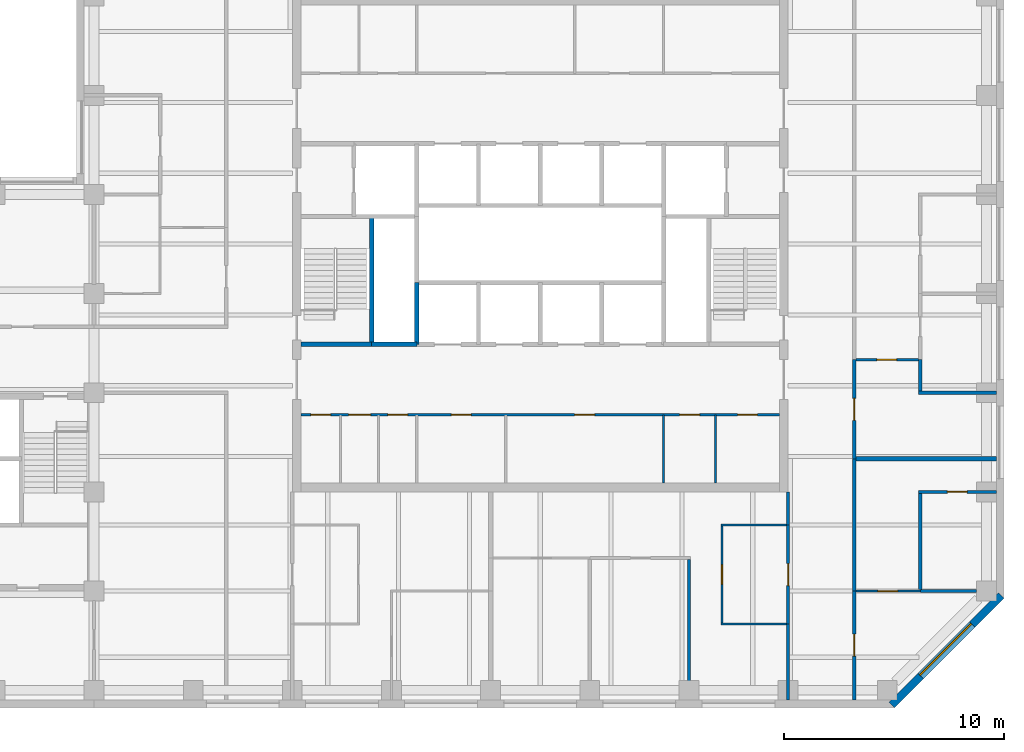
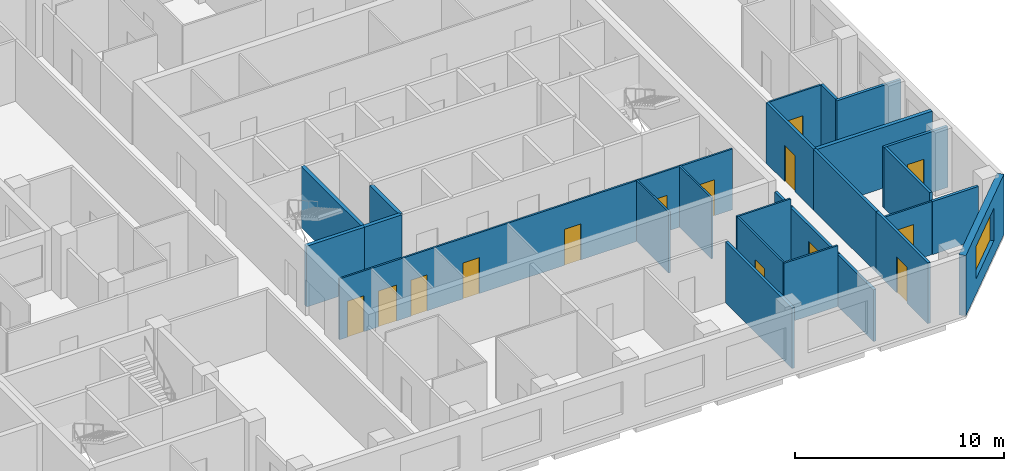
# One storey, part 5 of 10: 26 walls, 14 doors, 1 window, 15 openings.
"""IFC4 building model written with IfcOpenShell, lengths in metres."""

from ifc_helpers import new_model, si_unit, direction, frame, frame_2d, origin, place, context, subcontext, project, spatial, rectangle, extrude, material, layer, layer_set, constituent, constituent_set, type_object, element, fill, save


model = new_model("IFC4")

# Units and contexts
model_context = context("Model", 3, precision=1e-05, world=origin(), true_north=direction((0.0, 1.0)))
body_context = subcontext(model_context, "Body", "Model", "MODEL_VIEW")
ifc_project = project(units=[si_unit("LENGTHUNIT", "METRE"), si_unit("AREAUNIT", "SQUARE_METRE"), si_unit("VOLUMEUNIT", "CUBIC_METRE"), si_unit("PLANEANGLEUNIT", "RADIAN"), si_unit("MASSUNIT", "GRAM", prefix="KILO")], contexts=[model_context])

# Site, building, storey
site_placement = place(None, origin())
site = spatial("IfcSite", under=ifc_project, at=site_placement, CompositionType="ELEMENT")
building_placement = place(site_placement, origin())
building = spatial("IfcBuilding", under=site, at=building_placement, Name="Quoin Convention Tower", CompositionType="ELEMENT")
storey_placement = place(building_placement, frame((0.0, 0.0, 195.800048828125)))
storey = spatial("IfcBuildingStorey", under=building, at=storey_placement, Name="L51", CompositionType="ELEMENT", Elevation=195.800048828125)

# Wall, opening, door
ifc_material_1 = material(Name="Plasterboard")
ifc_layer_1 = layer(ifc_material_1, 0.012451171875, Name="Finish")
ifc_material_2 = material(Name="Steel stud framing", Category="steel")
ifc_layer_2 = layer(ifc_material_2, 0.125, Name="Structure")
ifc_layer_3 = layer(ifc_material_1, 0.012451171875, Name="Finish")
ifc_layer_set_1 = layer_set([ifc_layer_1, ifc_layer_2, ifc_layer_3], Name="Steel stud framing")
wall_type_1 = type_object("IfcWallType", Name="Acoustic partition 150", PredefinedType="PARTITIONING", material=ifc_layer_set_1)
wall_1_placement = place(storey_placement, frame((73.425048828125, 49.5, 0.0), z_axis=(0.0, 0.0, 1.0), x_axis=(1.0, 0.0, 0.0)))
wall_1 = element("IfcWall", 1, at=wall_1_placement, inside=storey, type_object=wall_type_1, Name="pw-L51-014", PredefinedType="PARTITIONING", context=body_context, shape_type="SweptSolid", body=[
    extrude(rectangle(XDim=3.52490234375, YDim=0.14990234375, at=frame_2d((1.762451171875, 0.0))), origin(), (0.0, 0.0, 1.0), 3.550048828125),
])
opening_1_placement = place(wall_1_placement, frame((1.300048828125, 0.0, 0.0)))
opening_1 = element("IfcOpeningElement", 2, at=opening_1_placement, cuts=wall_1, Name="Opening DOH7-04", PredefinedType="OPENING", context=body_context, shape_type="SweptSolid", body=[
    extrude(rectangle(XDim=0.89990234375, YDim=2.10009765625, at=frame_2d((0.449951171875, 1.050048828125))), frame((0.0, 0.0849609375, 0.0), z_axis=(0.0, -1.0, 0.0), x_axis=(1.0, 0.0, 0.0)), (0.0, 0.0, 1.0), 0.169921875),
])
ifc_material_3 = material(Name="Steel door leaf", Category="steel")
door_type_1 = type_object("IfcDoorType", Name="Office door 900 x 2100", OperationType="SINGLE_SWING_RIGHT", PredefinedType="DOOR", material=ifc_material_3)
door_1_placement = place(opening_1_placement, origin())
door_1 = element("IfcDoor", 3, at=door_1_placement, inside=storey, type_object=door_type_1, Name="dr-L51-28", OperationType="SINGLE_SWING_RIGHT", OverallHeight=2.10009765625, OverallWidth=0.89990234375, PredefinedType="DOOR", context=body_context, shape_type="SweptSolid", body=[
    extrude(rectangle(XDim=0.89990234375, YDim=2.10009765625, at=frame_2d((0.449951171875, 1.050048828125))), frame((0.0, 0.02490234375, 0.0), z_axis=(0.0, -1.0, 0.0), x_axis=(1.0, 0.0, 0.0)), (0.0, 0.0, 1.0), 0.050048828125),
])
fill(opening_1, door_1)

# Walls
wall_2_placement = place(storey_placement, frame((73.425048828125, 54.0, 0.0), z_axis=(0.0, 0.0, 1.0), x_axis=(1.0, 0.0, 0.0)))
element("IfcWall", 4, at=wall_2_placement, inside=storey, type_object=wall_type_1, Name="pw-L51-018", PredefinedType="PARTITIONING", context=body_context, shape_type="SweptSolid", body=[
    extrude(rectangle(XDim=3.52490234375, YDim=0.14990234375, at=frame_2d((1.762451171875, 0.0))), origin(), (0.0, 0.0, 1.0), 3.550048828125),
])
wall_3_placement = place(storey_placement, frame((63.0, 40.050048828125, 0.0), z_axis=(0.0, 0.0, 1.0), x_axis=(0.0, 1.0, 0.0)))
element("IfcWall", 5, at=wall_3_placement, inside=storey, type_object=wall_type_1, Name="pw-L51-044", PredefinedType="PARTITIONING", context=body_context, shape_type="SweptSolid", body=[
    extrude(rectangle(XDim=6.375, YDim=0.14990234375, at=frame_2d((3.1875, 0.0))), origin(), (0.0, 0.0, 1.0), 3.550048828125),
])
wall_4_placement = place(storey_placement, frame((73.5, 45.074951171875, 0.0), z_axis=(0.0, 0.0, 1.0), x_axis=(0.0, 1.0, 0.0)))
element("IfcWall", 6, at=wall_4_placement, inside=storey, type_object=wall_type_1, Name="pw-L51-056", PredefinedType="PARTITIONING", context=body_context, shape_type="SweptSolid", body=[
    extrude(rectangle(XDim=4.35009765625, YDim=0.14990234375, at=frame_2d((2.175048828125, 0.0))), origin(), (0.0, 0.0, 1.0), 3.550048828125),
])
wall_5_placement = place(storey_placement, frame((73.5, 54.074951171875, 0.0), z_axis=(0.0, 0.0, 1.0), x_axis=(0.0, 1.0, 0.0)))
element("IfcWall", 7, at=wall_5_placement, inside=storey, type_object=wall_type_1, Name="pw-L51-064", PredefinedType="PARTITIONING", context=body_context, shape_type="SweptSolid", body=[
    extrude(rectangle(XDim=1.425048828125, YDim=0.14990234375, at=frame_2d((0.71240234375, 0.0))), origin(), (0.0, 0.0, 1.0), 3.550048828125),
])
ifc_layer_4 = layer(ifc_material_1, 0.012451171875, Name="Finish")
ifc_layer_5 = layer(ifc_material_2, 0.125, Name="Structure")
ifc_layer_6 = layer(ifc_material_1, 0.012451171875, Name="Finish")
ifc_layer_set_2 = layer_set([ifc_layer_4, ifc_layer_5, ifc_layer_6], Name="Steel stud framing")
wall_type_2 = type_object("IfcWallType", Name="Acoustic partition 150 under beam 454", PredefinedType="PARTITIONING", material=ifc_layer_set_2)
wall_6_placement = place(storey_placement, frame((73.5, 45.0, 0.0), z_axis=(0.0, 0.0, 1.0), x_axis=(1.0, 0.0, 0.0)))
element("IfcWall", 8, at=wall_6_placement, inside=storey, type_object=wall_type_2, Name="pw-L51-007", PredefinedType="PARTITIONING", context=body_context, shape_type="SweptSolid", body=[
    extrude(rectangle(XDim=2.550048828125, YDim=0.14990234375, at=frame_2d((1.27490234375, 0.0))), origin(), (0.0, 0.0, 1.0), 3.095947265625),
])

# Wall, opening, window
ifc_material_4 = material(Name="Brick masonry", Category="masonry")
ifc_layer_7 = layer(ifc_material_4, 0.35009765625)
ifc_layer_set_3 = layer_set([ifc_layer_7], Name="Brick masonry")
wall_type_3 = type_object("IfcWallType", Name="Brick facade wall", PredefinedType="STANDARD", material=ifc_layer_set_3)
wall_7_placement = place(storey_placement, frame((72.20751953125, 39.82373046875, 0.0), z_axis=(0.0, 0.0, 1.0), x_axis=(0.707106781187, 0.707106781187, 0.0)))
wall_7 = element("IfcWall", 9, at=wall_7_placement, inside=storey, type_object=wall_type_3, Name="fw-L51-72000_40500", PredefinedType="STANDARD", context=body_context, shape_type="SweptSolid", body=[
    extrude(rectangle(XDim=7.02685546875, YDim=0.35009765625, at=frame_2d((3.513427734375, 0.0))), origin(), (0.0, 0.0, 1.0), 3.52490234375),
])
opening_2_placement = place(wall_7_placement, frame((1.86328125, 0.0, 0.89990234375)))
opening_2 = element("IfcOpeningElement", 10, at=opening_2_placement, cuts=wall_7, Name="Opening W-02", PredefinedType="OPENING", context=body_context, shape_type="SweptSolid", body=[
    extrude(rectangle(XDim=3.300048828125, YDim=1.89990234375, at=frame_2d((1.64990234375, 0.949951171875))), frame((0.0, 0.18505859375, 0.0), z_axis=(0.0, -1.0, 0.0), x_axis=(1.0, 0.0, 0.0)), (0.0, 0.0, 1.0), 0.3701171875),
])
ifc_material_5 = material(Name="Aluminium", Category="aluminium")
ifc_constituent_1 = constituent(ifc_material_5, Name="Frame")
ifc_material_6 = material(Name="Insulated glass", Category="glass")
ifc_constituent_2 = constituent(ifc_material_6, Name="Glazing")
ifc_constituent_set = constituent_set(constituents=[ifc_constituent_1, ifc_constituent_2], Name="Aluminium")
window_type = type_object("IfcWindowType", Name="Office window", PartitioningType="DOUBLE_PANEL_VERTICAL", PredefinedType="WINDOW", material=ifc_constituent_set)
window_placement = place(opening_2_placement, origin())
window = element("IfcWindow", 11, at=window_placement, inside=storey, type_object=window_type, Name="win-L51-74692_42308", OverallHeight=1.89990234375, OverallWidth=3.300048828125, PartitioningType="SINGLE_PANEL", PredefinedType="WINDOW", context=body_context, shape_type="SweptSolid", body=[
    extrude(rectangle(XDim=3.300048828125, YDim=1.89990234375, at=frame_2d((1.64990234375, 0.949951171875))), frame((0.0, 0.0849609375, 0.0), z_axis=(0.0, -1.0, 0.0), x_axis=(1.0, 0.0, 0.0)), (0.0, 0.0, 1.0), 0.06005859375),
])
fill(opening_2, window)

# Wall, openings, doors
ifc_layer_8 = layer(ifc_material_1, 0.012451171875, Name="Finish")
ifc_layer_9 = layer(ifc_material_2, 0.074951171875, Name="Structure")
ifc_layer_10 = layer(ifc_material_1, 0.012451171875, Name="Finish")
ifc_layer_set_4 = layer_set([ifc_layer_8, ifc_layer_9, ifc_layer_10], Name="Steel stud framing")
wall_type_4 = type_object("IfcWallType", Name="Core partition wall", PredefinedType="PARTITIONING", material=ifc_layer_set_4)
wall_8_placement = place(storey_placement, frame((45.39990234375, 53.0, 0.0), z_axis=(0.0, 0.0, 1.0), x_axis=(1.0, 0.0, 0.0)))
wall_8 = element("IfcWall", 12, at=wall_8_placement, inside=storey, type_object=wall_type_4, Name="cr-C1-L51-h3500_400", PredefinedType="PARTITIONING", context=body_context, shape_type="SweptSolid", body=[
    extrude(rectangle(XDim=21.7001953125, YDim=0.10009765625, at=frame_2d((10.85009765625, 0.0))), origin(), (0.0, 0.0, 1.0), 3.550048828125),
])
opening_3_placement = place(wall_8_placement, frame((19.806396484375, 0.0, 0.0)))
opening_3 = element("IfcOpeningElement", 13, at=opening_3_placement, cuts=wall_8, Name="Opening DCV5-40", PredefinedType="OPENING", context=body_context, shape_type="SweptSolid", body=[
    extrude(rectangle(XDim=0.89990234375, YDim=2.10009765625, at=frame_2d((0.449951171875, 1.050048828125))), frame((0.0, 0.06005859375, 0.0), z_axis=(0.0, -1.0, 0.0), x_axis=(1.0, 0.0, 0.0)), (0.0, 0.0, 1.0), 0.1201171875),
])
opening_4_placement = place(wall_8_placement, frame((17.181396484375, 0.0, 0.0)))
opening_4 = element("IfcOpeningElement", 14, at=opening_4_placement, cuts=wall_8, Name="Opening DCV5-39", PredefinedType="OPENING", context=body_context, shape_type="SweptSolid", body=[
    extrude(rectangle(XDim=0.89990234375, YDim=2.10009765625, at=frame_2d((0.449951171875, 1.050048828125))), frame((0.0, 0.06005859375, 0.0), z_axis=(0.0, -1.0, 0.0), x_axis=(1.0, 0.0, 0.0)), (0.0, 0.0, 1.0), 0.1201171875),
])
opening_5_placement = place(wall_8_placement, frame((0.4423828125, 0.0, 0.0)))
opening_5 = element("IfcOpeningElement", 15, at=opening_5_placement, cuts=wall_8, Name="Opening DCV5-31", PredefinedType="OPENING", context=body_context, shape_type="SweptSolid", body=[
    extrude(rectangle(XDim=0.89990234375, YDim=2.10009765625, at=frame_2d((0.449951171875, 1.050048828125))), frame((0.0, 0.06005859375, 0.0), z_axis=(0.0, -1.0, 0.0), x_axis=(1.0, 0.0, 0.0)), (0.0, 0.0, 1.0), 0.1201171875),
])
opening_6_placement = place(wall_8_placement, frame((2.1513671875, 0.0, 0.0)))
opening_6 = element("IfcOpeningElement", 16, at=opening_6_placement, cuts=wall_8, Name="Opening DCV5-32", PredefinedType="OPENING", context=body_context, shape_type="SweptSolid", body=[
    extrude(rectangle(XDim=1.0, YDim=2.10009765625, at=frame_2d((0.5, 1.050048828125))), frame((0.0, 0.06005859375, 0.0), z_axis=(0.0, -1.0, 0.0), x_axis=(1.0, 0.0, 0.0)), (0.0, 0.0, 1.0), 0.1201171875),
])
opening_7_placement = place(wall_8_placement, frame((3.93359375, 0.0, 0.0)))
opening_7 = element("IfcOpeningElement", 17, at=opening_7_placement, cuts=wall_8, Name="Opening DCV5-33", PredefinedType="OPENING", context=body_context, shape_type="SweptSolid", body=[
    extrude(rectangle(XDim=0.89990234375, YDim=2.10009765625, at=frame_2d((0.449951171875, 1.050048828125))), frame((0.0, 0.06005859375, 0.0), z_axis=(0.0, -1.0, 0.0), x_axis=(1.0, 0.0, 0.0)), (0.0, 0.0, 1.0), 0.1201171875),
])
opening_8_placement = place(wall_8_placement, frame((6.81591796875, 0.0, 0.0)))
opening_8 = element("IfcOpeningElement", 18, at=opening_8_placement, cuts=wall_8, Name="Opening DCV5-35", PredefinedType="OPENING", context=body_context, shape_type="SweptSolid", body=[
    extrude(rectangle(XDim=0.89990234375, YDim=2.10009765625, at=frame_2d((0.449951171875, 1.050048828125))), frame((0.0, 0.06005859375, 0.0), z_axis=(0.0, -1.0, 0.0), x_axis=(1.0, 0.0, 0.0)), (0.0, 0.0, 1.0), 0.1201171875),
])
opening_9_placement = place(wall_8_placement, frame((12.416015625, 0.0, 0.0)))
opening_9 = element("IfcOpeningElement", 19, at=opening_9_placement, cuts=wall_8, Name="Opening DCV5-37", PredefinedType="OPENING", context=body_context, shape_type="SweptSolid", body=[
    extrude(rectangle(XDim=0.89990234375, YDim=2.10009765625, at=frame_2d((0.449951171875, 1.050048828125))), frame((0.0, 0.06005859375, 0.0), z_axis=(0.0, -1.0, 0.0), x_axis=(1.0, 0.0, 0.0)), (0.0, 0.0, 1.0), 0.1201171875),
])
door_type_2 = type_object("IfcDoorType", Name="Core room door 1000 x 2100", OperationType="SINGLE_SWING_LEFT", PredefinedType="DOOR", material=ifc_material_3)
door_2_placement = place(opening_6_placement, frame((1.0, 0.0, 0.0), z_axis=(0.0, 0.0, 1.0), x_axis=(-1.0, 0.0, 0.0)))
door_2 = element("IfcDoor", 20, at=door_2_placement, inside=storey, type_object=door_type_2, Name="cd-C1-L51-CSW1-lobA-CD5113", OperationType="SINGLE_SWING_LEFT", OverallHeight=2.10009765625, OverallWidth=1.0, PredefinedType="DOOR", context=body_context, shape_type="SweptSolid", body=[
    extrude(rectangle(XDim=1.0, YDim=2.10009765625, at=frame_2d((0.5, 1.050048828125))), frame((0.0, 0.02490234375, 0.0), z_axis=(0.0, -1.0, 0.0), x_axis=(1.0, 0.0, 0.0)), (0.0, 0.0, 1.0), 0.050048828125),
])
fill(opening_6, door_2)
door_type_3 = type_object("IfcDoorType", Name="Core room door 900 x 2100", OperationType="SINGLE_SWING_LEFT", PredefinedType="DOOR", material=ifc_material_3)
door_3_placement = place(opening_3_placement, frame((0.89990234375, 0.0, 0.0), z_axis=(0.0, 0.0, 1.0), x_axis=(-1.0, 0.0, 0.0)))
door_3 = element("IfcDoor", 21, at=door_3_placement, inside=storey, type_object=door_type_3, Name="cd-C1-L51-CSE0-lobA-CD5110", OperationType="SINGLE_SWING_LEFT", OverallHeight=2.10009765625, OverallWidth=0.89990234375, PredefinedType="DOOR", context=body_context, shape_type="SweptSolid", body=[
    extrude(rectangle(XDim=0.89990234375, YDim=2.10009765625, at=frame_2d((0.449951171875, 1.050048828125))), frame((0.0, 0.02490234375, 0.0), z_axis=(0.0, -1.0, 0.0), x_axis=(1.0, 0.0, 0.0)), (0.0, 0.0, 1.0), 0.050048828125),
])
fill(opening_3, door_3)
door_4_placement = place(opening_4_placement, frame((0.89990234375, 0.0, 0.0), z_axis=(0.0, 0.0, 1.0), x_axis=(-1.0, 0.0, 0.0)))
door_4 = element("IfcDoor", 22, at=door_4_placement, inside=storey, type_object=door_type_3, Name="cd-C1-L51-CSE1-lobA-CD5111", OperationType="SINGLE_SWING_LEFT", OverallHeight=2.10009765625, OverallWidth=0.89990234375, PredefinedType="DOOR", context=body_context, shape_type="SweptSolid", body=[
    extrude(rectangle(XDim=0.89990234375, YDim=2.10009765625, at=frame_2d((0.449951171875, 1.050048828125))), frame((0.0, 0.02490234375, 0.0), z_axis=(0.0, -1.0, 0.0), x_axis=(1.0, 0.0, 0.0)), (0.0, 0.0, 1.0), 0.050048828125),
])
fill(opening_4, door_4)
door_5_placement = place(opening_5_placement, frame((0.89990234375, 0.0, 0.0), z_axis=(0.0, 0.0, 1.0), x_axis=(-1.0, 0.0, 0.0)))
door_5 = element("IfcDoor", 23, at=door_5_placement, inside=storey, type_object=door_type_3, Name="cd-C1-L51-CSW0-lobA-CD5112", OperationType="SINGLE_SWING_LEFT", OverallHeight=2.10009765625, OverallWidth=0.89990234375, PredefinedType="DOOR", context=body_context, shape_type="SweptSolid", body=[
    extrude(rectangle(XDim=0.89990234375, YDim=2.10009765625, at=frame_2d((0.449951171875, 1.050048828125))), frame((0.0, 0.02490234375, 0.0), z_axis=(0.0, -1.0, 0.0), x_axis=(1.0, 0.0, 0.0)), (0.0, 0.0, 1.0), 0.050048828125),
])
fill(opening_5, door_5)
door_6_placement = place(opening_7_placement, frame((0.89990234375, 0.0, 0.0), z_axis=(0.0, 0.0, 1.0), x_axis=(-1.0, 0.0, 0.0)))
door_6 = element("IfcDoor", 24, at=door_6_placement, inside=storey, type_object=door_type_3, Name="cd-C1-L51-CSW2-lobA-CD5114", OperationType="SINGLE_SWING_LEFT", OverallHeight=2.10009765625, OverallWidth=0.89990234375, PredefinedType="DOOR", context=body_context, shape_type="SweptSolid", body=[
    extrude(rectangle(XDim=0.89990234375, YDim=2.10009765625, at=frame_2d((0.449951171875, 1.050048828125))), frame((0.0, 0.02490234375, 0.0), z_axis=(0.0, -1.0, 0.0), x_axis=(1.0, 0.0, 0.0)), (0.0, 0.0, 1.0), 0.050048828125),
])
fill(opening_7, door_6)
door_7_placement = place(opening_8_placement, frame((0.89990234375, 0.0, 0.0), z_axis=(0.0, 0.0, 1.0), x_axis=(-1.0, 0.0, 0.0)))
door_7 = element("IfcDoor", 25, at=door_7_placement, inside=storey, type_object=door_type_3, Name="cd-C1-L51-F10-lobA-CD5115", OperationType="SINGLE_SWING_LEFT", OverallHeight=2.10009765625, OverallWidth=0.89990234375, PredefinedType="DOOR", context=body_context, shape_type="SweptSolid", body=[
    extrude(rectangle(XDim=0.89990234375, YDim=2.10009765625, at=frame_2d((0.449951171875, 1.050048828125))), frame((0.0, 0.02490234375, 0.0), z_axis=(0.0, -1.0, 0.0), x_axis=(1.0, 0.0, 0.0)), (0.0, 0.0, 1.0), 0.050048828125),
])
fill(opening_8, door_7)
door_8_placement = place(opening_9_placement, frame((0.89990234375, 0.0, 0.0), z_axis=(0.0, 0.0, 1.0), x_axis=(-1.0, 0.0, 0.0)))
door_8 = element("IfcDoor", 26, at=door_8_placement, inside=storey, type_object=door_type_3, Name="cd-C1-L51-F11-lobA-CD5116", OperationType="SINGLE_SWING_LEFT", OverallHeight=2.10009765625, OverallWidth=0.89990234375, PredefinedType="DOOR", context=body_context, shape_type="SweptSolid", body=[
    extrude(rectangle(XDim=0.89990234375, YDim=2.10009765625, at=frame_2d((0.449951171875, 1.050048828125))), frame((0.0, 0.02490234375, 0.0), z_axis=(0.0, -1.0, 0.0), x_axis=(1.0, 0.0, 0.0)), (0.0, 0.0, 1.0), 0.050048828125),
])
fill(opening_9, door_8)

# Walls
for number, where, z_axis, x_axis, name in (
    (27, (61.85009765625, 49.89990234375, 0.0), (0.0, 0.0, 1.0), (0.0, 1.0, 0.0), "cr-C1-L51-v16850_400"),
    (28, (64.21240234375, 49.89990234375, 0.0), (0.0, 0.0, 1.0), (0.0, 1.0, 0.0), "cr-C1-L51-v19212_400"),
):
    element("IfcWall", number, at=place(storey_placement, frame(where, z_axis=z_axis, x_axis=x_axis)), inside=storey, type_object=wall_type_4, Name=name, PredefinedType="PARTITIONING", context=body_context, shape_type="SweptSolid", body=[
        extrude(rectangle(XDim=3.10009765625, YDim=0.10009765625, at=frame_2d((1.550048828125, 0.0))), origin(), (0.0, 0.0, 1.0), 3.550048828125),
    ])
ifc_material_7 = material(Name="Concrete C50", Category="concrete")
ifc_layer_11 = layer(ifc_material_7, 0.199951171875)
ifc_layer_set_5 = layer_set([ifc_layer_11], Name="Concrete C50")
wall_type_5 = type_object("IfcWallType", Name="Core shaft wall", PredefinedType="SOLIDWALL", material=ifc_layer_set_5)
wall_9_placement = place(storey_placement, frame((48.60009765625, 56.199951171875, 0.0), z_axis=(0.0, 0.0, 1.0), x_axis=(1.0, 0.0, 0.0)))
element("IfcWall", 29, at=wall_9_placement, inside=storey, type_object=wall_type_5, Name="cr-C1-L51-h6700_3600", PredefinedType="SOLIDWALL", context=body_context, shape_type="SweptSolid", body=[
    extrude(rectangle(XDim=2.0498046875, YDim=0.199951171875, at=frame_2d((1.02490234375, 0.0))), origin(), (0.0, 0.0, 1.0), 3.550048828125),
])
wall_10_placement = place(storey_placement, frame((45.39990234375, 56.199951171875, 0.0), z_axis=(0.0, 0.0, 1.0), x_axis=(1.0, 0.0, 0.0)))
element("IfcWall", 30, at=wall_10_placement, inside=storey, type_object=wall_type_5, Name="cr-C1-L51-h6700_400", PredefinedType="SOLIDWALL", context=body_context, shape_type="SweptSolid", body=[
    extrude(rectangle(XDim=3.2001953125, YDim=0.199951171875, at=frame_2d((1.60009765625, 0.0))), origin(), (0.0, 0.0, 1.0), 3.550048828125),
])
wall_11_placement = place(storey_placement, frame((48.60009765625, 56.199951171875, 0.0), z_axis=(0.0, 0.0, 1.0), x_axis=(0.0, 1.0, 0.0)))
element("IfcWall", 31, at=wall_11_placement, inside=storey, type_object=wall_type_5, Name="cr-C1-L51-v3600_6700", PredefinedType="SOLIDWALL", context=body_context, shape_type="SweptSolid", body=[
    extrude(rectangle(XDim=5.800048828125, YDim=0.199951171875, at=frame_2d((2.89990234375, 0.0))), origin(), (0.0, 0.0, 1.0), 3.550048828125),
])
wall_12_placement = place(storey_placement, frame((50.64990234375, 56.199951171875, 0.0), z_axis=(0.0, 0.0, 1.0), x_axis=(0.0, 1.0, 0.0)))
element("IfcWall", 32, at=wall_12_placement, inside=storey, type_object=wall_type_5, Name="cr-C1-L51-v5650_6700", PredefinedType="SOLIDWALL", context=body_context, shape_type="SweptSolid", body=[
    extrude(rectangle(XDim=2.800048828125, YDim=0.199951171875, at=frame_2d((1.39990234375, 0.0))), origin(), (0.0, 0.0, 1.0), 3.550048828125),
])

# Wall, opening, door
ifc_layer_12 = layer(ifc_material_1, 0.012451171875, Name="Finish")
ifc_layer_13 = layer(ifc_material_2, 0.125, Name="Structure")
ifc_layer_14 = layer(ifc_material_1, 0.012451171875, Name="Finish")
ifc_layer_set_6 = layer_set([ifc_layer_12, ifc_layer_13, ifc_layer_14], Name="Steel stud framing")
wall_type_6 = type_object("IfcWallType", Name="Corridor wall 150", PredefinedType="PARTITIONING", material=ifc_layer_set_6)
wall_13_placement = place(storey_placement, frame((70.5, 40.050048828125, 0.0), z_axis=(0.0, 0.0, 1.0), x_axis=(0.0, 1.0, 0.0)))
wall_13 = element("IfcWall", 33, at=wall_13_placement, inside=storey, type_object=wall_type_6, Name="pw-L51-046", PredefinedType="PARTITIONING", context=body_context, shape_type="SweptSolid", body=[
    extrude(rectangle(XDim=4.949951171875, YDim=0.14990234375, at=frame_2d((2.47509765625, 0.0))), origin(), (0.0, 0.0, 1.0), 3.550048828125),
])
opening_10_placement = place(wall_13_placement, frame((2.0, 0.0, 0.0)))
opening_10 = element("IfcOpeningElement", 34, at=opening_10_placement, cuts=wall_13, Name="Opening DOH7-13", PredefinedType="OPENING", context=body_context, shape_type="SweptSolid", body=[
    extrude(rectangle(XDim=1.0, YDim=2.10009765625, at=frame_2d((0.5, 1.050048828125))), frame((0.0, 0.0849609375, 0.0), z_axis=(0.0, -1.0, 0.0), x_axis=(1.0, 0.0, 0.0)), (0.0, 0.0, 1.0), 0.169921875),
])
door_type_4 = type_object("IfcDoorType", Name="Tenancy entrance door 1000 x 2100", OperationType="DOUBLE_DOOR_SINGLE_SWING", PredefinedType="DOOR", material=ifc_material_3)
door_9_placement = place(opening_10_placement, frame((1.0, 0.0, 0.0), z_axis=(0.0, 0.0, 1.0), x_axis=(-1.0, 0.0, 0.0)))
door_9 = element("IfcDoor", 35, at=door_9_placement, inside=storey, type_object=door_type_4, Name="dr-L51-26", OperationType="DOUBLE_DOOR_SINGLE_SWING", OverallHeight=2.10009765625, OverallWidth=1.0, PredefinedType="DOOR", context=body_context, shape_type="SweptSolid", body=[
    extrude(rectangle(XDim=1.0, YDim=2.10009765625, at=frame_2d((0.5, 1.050048828125))), frame((0.0, 0.02490234375, 0.0), z_axis=(0.0, -1.0, 0.0), x_axis=(1.0, 0.0, 0.0)), (0.0, 0.0, 1.0), 0.050048828125),
])
fill(opening_10, door_9)

# Wall
wall_14_placement = place(storey_placement, frame((70.5, 45.0, 0.0), z_axis=(0.0, 0.0, 1.0), x_axis=(0.0, 1.0, 0.0)))
element("IfcWall", 36, at=wall_14_placement, inside=storey, type_object=wall_type_6, Name="pw-L51-054", PredefinedType="PARTITIONING", context=body_context, shape_type="SweptSolid", body=[
    extrude(rectangle(XDim=6.0, YDim=0.14990234375, at=frame_2d((3.0, 0.0))), origin(), (0.0, 0.0, 1.0), 3.550048828125),
])

# Wall, opening, door
wall_15_placement = place(storey_placement, frame((70.5, 51.0, 0.0), z_axis=(0.0, 0.0, 1.0), x_axis=(0.0, 1.0, 0.0)))
wall_15 = element("IfcWall", 37, at=wall_15_placement, inside=storey, type_object=wall_type_6, Name="pw-L51-063", PredefinedType="PARTITIONING", context=body_context, shape_type="SweptSolid", body=[
    extrude(rectangle(XDim=4.5, YDim=0.14990234375, at=frame_2d((2.25, 0.0))), origin(), (0.0, 0.0, 1.0), 3.550048828125),
])
opening_11_placement = place(wall_15_placement, frame((1.75, 0.0, 0.0)))
opening_11 = element("IfcOpeningElement", 38, at=opening_11_placement, cuts=wall_15, Name="Opening DOH7-19", PredefinedType="OPENING", context=body_context, shape_type="SweptSolid", body=[
    extrude(rectangle(XDim=1.0, YDim=2.10009765625, at=frame_2d((0.5, 1.050048828125))), frame((0.0, 0.0849609375, 0.0), z_axis=(0.0, -1.0, 0.0), x_axis=(1.0, 0.0, 0.0)), (0.0, 0.0, 1.0), 0.169921875),
])
door_10_placement = place(opening_11_placement, frame((1.0, 0.0, 0.0), z_axis=(0.0, 0.0, 1.0), x_axis=(-1.0, 0.0, 0.0)))
door_10 = element("IfcDoor", 39, at=door_10_placement, inside=storey, type_object=door_type_4, Name="dr-L51-29", OperationType="DOUBLE_DOOR_SINGLE_SWING", OverallHeight=2.10009765625, OverallWidth=1.0, PredefinedType="DOOR", context=body_context, shape_type="SweptSolid", body=[
    extrude(rectangle(XDim=1.0, YDim=2.10009765625, at=frame_2d((0.5, 1.050048828125))), frame((0.0, 0.02490234375, 0.0), z_axis=(0.0, -1.0, 0.0), x_axis=(1.0, 0.0, 0.0)), (0.0, 0.0, 1.0), 0.050048828125),
])
fill(opening_11, door_10)

# Wall
ifc_layer_15 = layer(ifc_material_1, 0.012451171875, Name="Finish")
ifc_layer_16 = layer(ifc_material_2, 0.125, Name="Structure")
ifc_layer_17 = layer(ifc_material_1, 0.012451171875, Name="Finish")
ifc_layer_set_7 = layer_set([ifc_layer_15, ifc_layer_16, ifc_layer_17], Name="Steel stud framing")
wall_type_7 = type_object("IfcWallType", Name="Corridor wall 150 under beam 528", PredefinedType="PARTITIONING", material=ifc_layer_set_7)
wall_16_placement = place(storey_placement, frame((67.5, 40.050048828125, 0.0), z_axis=(0.0, 0.0, 1.0), x_axis=(0.0, 1.0, 0.0)))
element("IfcWall", 40, at=wall_16_placement, inside=storey, type_object=wall_type_7, Name="pw-L51-045", PredefinedType="PARTITIONING", context=body_context, shape_type="SweptSolid", body=[
    extrude(rectangle(XDim=3.449951171875, YDim=0.14990234375, at=frame_2d((1.72509765625, 0.0))), origin(), (0.0, 0.0, 1.0), 3.02197265625),
])

# Wall, opening, door
wall_17_placement = place(storey_placement, frame((67.5, 43.5, 0.0), z_axis=(0.0, 0.0, 1.0), x_axis=(0.0, 1.0, 0.0)))
wall_17 = element("IfcWall", 41, at=wall_17_placement, inside=storey, type_object=wall_type_7, Name="pw-L51-049", PredefinedType="PARTITIONING", context=body_context, shape_type="SweptSolid", body=[
    extrude(rectangle(XDim=4.5, YDim=0.14990234375, at=frame_2d((2.25, 0.0))), origin(), (0.0, 0.0, 1.0), 3.02197265625),
])
opening_12_placement = place(wall_17_placement, frame((1.75, 0.0, 0.0)))
opening_12 = element("IfcOpeningElement", 42, at=opening_12_placement, cuts=wall_17, Name="Opening DOH7-16", PredefinedType="OPENING", context=body_context, shape_type="SweptSolid", body=[
    extrude(rectangle(XDim=1.0, YDim=2.10009765625, at=frame_2d((0.5, 1.050048828125))), frame((0.0, 0.0849609375, 0.0), z_axis=(0.0, -1.0, 0.0), x_axis=(1.0, 0.0, 0.0)), (0.0, 0.0, 1.0), 0.169921875),
])
door_11_placement = place(opening_12_placement, origin())
door_11 = element("IfcDoor", 43, at=door_11_placement, inside=storey, type_object=door_type_4, Name="dr-L51-15", OperationType="DOUBLE_DOOR_SINGLE_SWING", OverallHeight=2.10009765625, OverallWidth=1.0, PredefinedType="DOOR", context=body_context, shape_type="SweptSolid", body=[
    extrude(rectangle(XDim=1.0, YDim=2.10009765625, at=frame_2d((0.5, 1.050048828125))), frame((0.0, 0.02490234375, 0.0), z_axis=(0.0, -1.0, 0.0), x_axis=(1.0, 0.0, 0.0)), (0.0, 0.0, 1.0), 0.050048828125),
])
fill(opening_12, door_11)

# Walls
wall_18_placement = place(storey_placement, frame((67.5, 48.0, 0.0), z_axis=(0.0, 0.0, 1.0), x_axis=(0.0, 1.0, 0.0)))
element("IfcWall", 44, at=wall_18_placement, inside=storey, type_object=wall_type_7, Name="pw-L51-061", PredefinedType="PARTITIONING", context=body_context, shape_type="SweptSolid", body=[
    extrude(rectangle(XDim=1.5, YDim=0.14990234375, at=frame_2d((0.75, 0.0))), origin(), (0.0, 0.0, 1.0), 3.02197265625),
])
ifc_layer_18 = layer(ifc_material_1, 0.012451171875, Name="Finish")
ifc_layer_19 = layer(ifc_material_2, 0.074951171875, Name="Structure")
ifc_layer_20 = layer(ifc_material_1, 0.012451171875, Name="Finish")
ifc_layer_set_8 = layer_set([ifc_layer_18, ifc_layer_19, ifc_layer_20], Name="Steel stud framing")
wall_type_8 = type_object("IfcWallType", Name="Stud partition 100", PredefinedType="PARTITIONING", material=ifc_layer_set_8)
for number, where, z_axis, x_axis, name in (
    (45, (64.449951171875, 43.5, 0.0), (0.0, 0.0, 1.0), (1.0, 0.0, 0.0), "pw-L51-002"),
    (46, (64.449951171875, 48.0, 0.0), (0.0, 0.0, 1.0), (1.0, 0.0, 0.0), "pw-L51-012"),
):
    element("IfcWall", number, at=place(storey_placement, frame(where, z_axis=z_axis, x_axis=x_axis)), inside=storey, type_object=wall_type_8, Name=name, PredefinedType="PARTITIONING", context=body_context, shape_type="SweptSolid", body=[
        extrude(rectangle(XDim=2.97509765625, YDim=0.10009765625, at=frame_2d((1.487548828125, 0.0))), origin(), (0.0, 0.0, 1.0), 3.550048828125),
    ])

# Wall, opening, door
wall_19_placement = place(storey_placement, frame((70.574951171875, 55.5, 0.0), z_axis=(0.0, 0.0, 1.0), x_axis=(1.0, 0.0, 0.0)))
wall_19 = element("IfcWall", 47, at=wall_19_placement, inside=storey, type_object=wall_type_8, Name="pw-L51-019", PredefinedType="PARTITIONING", context=body_context, shape_type="SweptSolid", body=[
    extrude(rectangle(XDim=2.85009765625, YDim=0.10009765625, at=frame_2d((1.425048828125, 0.0))), origin(), (0.0, 0.0, 1.0), 3.550048828125),
])
opening_13_placement = place(wall_19_placement, frame((0.949951171875, 0.0, 0.0)))
opening_13 = element("IfcOpeningElement", 48, at=opening_13_placement, cuts=wall_19, Name="Opening DOH7-05", PredefinedType="OPENING", context=body_context, shape_type="SweptSolid", body=[
    extrude(rectangle(XDim=0.89990234375, YDim=2.10009765625, at=frame_2d((0.449951171875, 1.050048828125))), frame((0.0, 0.06005859375, 0.0), z_axis=(0.0, -1.0, 0.0), x_axis=(1.0, 0.0, 0.0)), (0.0, 0.0, 1.0), 0.1201171875),
])
door_12_placement = place(opening_13_placement, origin())
door_12 = element("IfcDoor", 49, at=door_12_placement, inside=storey, type_object=door_type_1, Name="dr-L51-30", OperationType="SINGLE_SWING_RIGHT", OverallHeight=2.10009765625, OverallWidth=0.89990234375, PredefinedType="DOOR", context=body_context, shape_type="SweptSolid", body=[
    extrude(rectangle(XDim=0.89990234375, YDim=2.10009765625, at=frame_2d((0.449951171875, 1.050048828125))), frame((0.0, 0.02490234375, 0.0), z_axis=(0.0, -1.0, 0.0), x_axis=(1.0, 0.0, 0.0)), (0.0, 0.0, 1.0), 0.050048828125),
])
fill(opening_13, door_12)

wall_20_placement = place(storey_placement, frame((64.5, 43.550048828125, 0.0), z_axis=(0.0, 0.0, 1.0), x_axis=(0.0, 1.0, 0.0)))
wall_20 = element("IfcWall", 50, at=wall_20_placement, inside=storey, type_object=wall_type_8, Name="pw-L51-051", PredefinedType="PARTITIONING", context=body_context, shape_type="SweptSolid", body=[
    extrude(rectangle(XDim=4.39990234375, YDim=0.10009765625, at=frame_2d((2.199951171875, 0.0))), origin(), (0.0, 0.0, 1.0), 3.550048828125),
])
opening_14_placement = place(wall_20_placement, frame((1.75, 0.0, 0.0)))
opening_14 = element("IfcOpeningElement", 51, at=opening_14_placement, cuts=wall_20, Name="Opening DOH7-18", PredefinedType="OPENING", context=body_context, shape_type="SweptSolid", body=[
    extrude(rectangle(XDim=0.89990234375, YDim=2.10009765625, at=frame_2d((0.449951171875, 1.050048828125))), frame((0.0, 0.06005859375, 0.0), z_axis=(0.0, -1.0, 0.0), x_axis=(1.0, 0.0, 0.0)), (0.0, 0.0, 1.0), 0.1201171875),
])
door_13_placement = place(opening_14_placement, origin())
door_13 = element("IfcDoor", 52, at=door_13_placement, inside=storey, type_object=door_type_1, Name="dr-L51-16", OperationType="SINGLE_SWING_RIGHT", OverallHeight=2.10009765625, OverallWidth=0.89990234375, PredefinedType="DOOR", context=body_context, shape_type="SweptSolid", body=[
    extrude(rectangle(XDim=0.89990234375, YDim=2.10009765625, at=frame_2d((0.449951171875, 1.050048828125))), frame((0.0, 0.02490234375, 0.0), z_axis=(0.0, -1.0, 0.0), x_axis=(1.0, 0.0, 0.0)), (0.0, 0.0, 1.0), 0.050048828125),
])
fill(opening_14, door_13)

ifc_layer_21 = layer(ifc_material_1, 0.012451171875, Name="Finish")
ifc_layer_22 = layer(ifc_material_2, 0.074951171875, Name="Structure")
ifc_layer_23 = layer(ifc_material_1, 0.012451171875, Name="Finish")
ifc_layer_set_9 = layer_set([ifc_layer_21, ifc_layer_22, ifc_layer_23], Name="Steel stud framing")
wall_type_9 = type_object("IfcWallType", Name="Stud partition 100 under beam 454", PredefinedType="PARTITIONING", material=ifc_layer_set_9)
wall_21_placement = place(storey_placement, frame((70.574951171875, 45.0, 0.0), z_axis=(0.0, 0.0, 1.0), x_axis=(1.0, 0.0, 0.0)))
wall_21 = element("IfcWall", 53, at=wall_21_placement, inside=storey, type_object=wall_type_9, Name="pw-L51-006", PredefinedType="PARTITIONING", context=body_context, shape_type="SweptSolid", body=[
    extrude(rectangle(XDim=2.925048828125, YDim=0.10009765625, at=frame_2d((1.46240234375, 0.0))), origin(), (0.0, 0.0, 1.0), 3.095947265625),
])
opening_15_placement = place(wall_21_placement, frame((1.0, 0.0, 0.0)))
opening_15 = element("IfcOpeningElement", 54, at=opening_15_placement, cuts=wall_21, Name="Opening DOH7-01", PredefinedType="OPENING", context=body_context, shape_type="SweptSolid", body=[
    extrude(rectangle(XDim=0.89990234375, YDim=2.10009765625, at=frame_2d((0.449951171875, 1.050048828125))), frame((0.0, 0.06005859375, 0.0), z_axis=(0.0, -1.0, 0.0), x_axis=(1.0, 0.0, 0.0)), (0.0, 0.0, 1.0), 0.1201171875),
])
door_14_placement = place(opening_15_placement, origin())
door_14 = element("IfcDoor", 55, at=door_14_placement, inside=storey, type_object=door_type_1, Name="dr-L51-27", OperationType="SINGLE_SWING_RIGHT", OverallHeight=2.10009765625, OverallWidth=0.89990234375, PredefinedType="DOOR", context=body_context, shape_type="SweptSolid", body=[
    extrude(rectangle(XDim=0.89990234375, YDim=2.10009765625, at=frame_2d((0.449951171875, 1.050048828125))), frame((0.0, 0.02490234375, 0.0), z_axis=(0.0, -1.0, 0.0), x_axis=(1.0, 0.0, 0.0)), (0.0, 0.0, 1.0), 0.050048828125),
])
fill(opening_15, door_14)

# Wall
ifc_layer_24 = layer(ifc_material_1, 0.012451171875, Name="Finish")
ifc_layer_25 = layer(ifc_material_2, 0.175048828125, Name="Structure")
ifc_layer_26 = layer(ifc_material_1, 0.012451171875, Name="Finish")
ifc_layer_set_10 = layer_set([ifc_layer_24, ifc_layer_25, ifc_layer_26], Name="Steel stud framing")
wall_type_10 = type_object("IfcWallType", Name="Tenancy demising wall 200", PredefinedType="PARTITIONING", material=ifc_layer_set_10)
wall_22_placement = place(storey_placement, frame((70.574951171875, 51.0, 0.0), z_axis=(0.0, 0.0, 1.0), x_axis=(1.0, 0.0, 0.0)))
element("IfcWall", 56, at=wall_22_placement, inside=storey, type_object=wall_type_10, Name="pw-L51-016", PredefinedType="PARTITIONING", context=body_context, shape_type="SweptSolid", body=[
    extrude(rectangle(XDim=6.375, YDim=0.199951171875, at=frame_2d((3.1875, 0.0))), origin(), (0.0, 0.0, 1.0), 3.550048828125),
])

save(model, "model.ifc")
